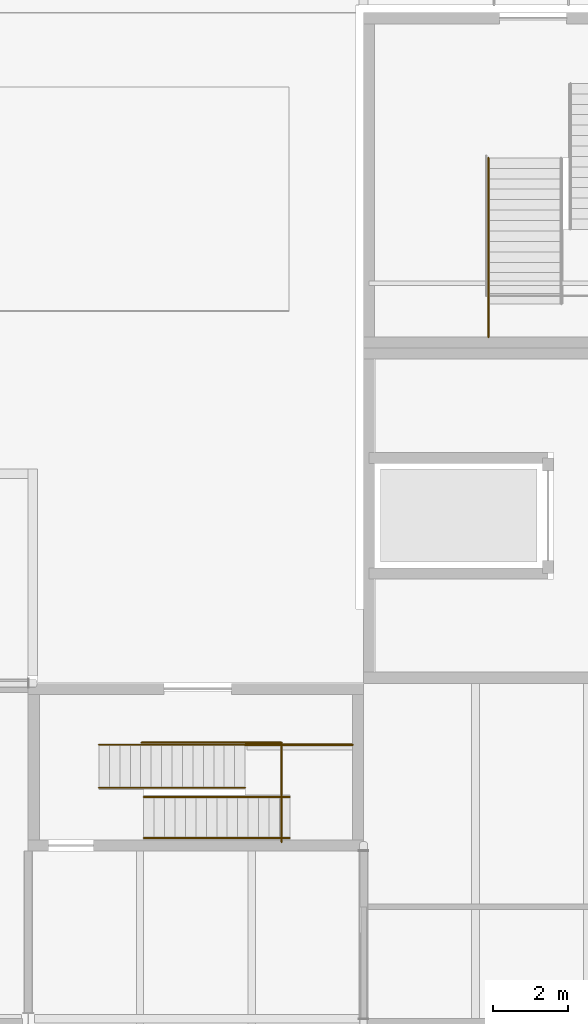
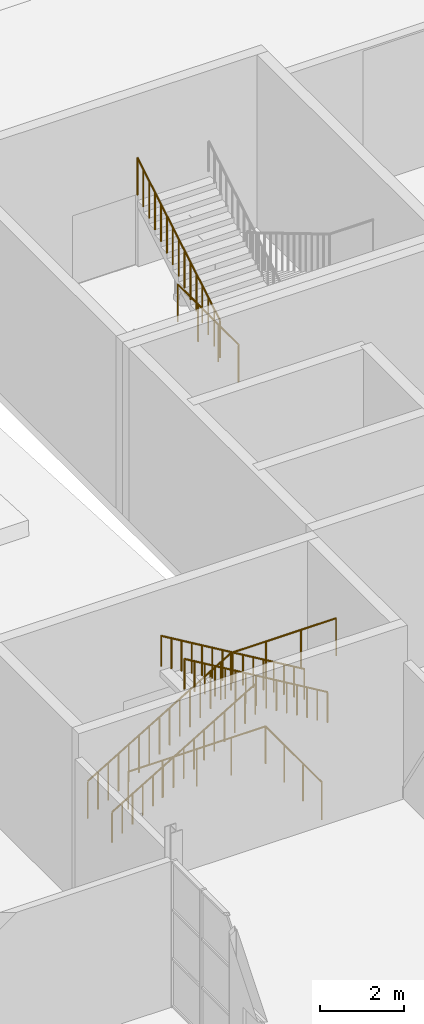
# One storey, part 60 of 63: 8 railings.
"""IFC4 building model written with IfcOpenShell, lengths in metres."""

from ifc_helpers import new_model, si_unit, direction, frame, origin, origin_2d, place, context, subcontext, project, spatial, circle, extrude, material, type_object, element, save


model = new_model("IFC4")

# Units and contexts
model_context = context("Model", 3, precision=1e-05, world=origin(), true_north=direction((0.0, 1.0)))
body_context = subcontext(model_context, "Body", "Model", "MODEL_VIEW")
ifc_project = project(units=[si_unit("LENGTHUNIT", "METRE"), si_unit("AREAUNIT", "SQUARE_METRE"), si_unit("VOLUMEUNIT", "CUBIC_METRE"), si_unit("PLANEANGLEUNIT", "RADIAN"), si_unit("MASSUNIT", "GRAM", prefix="KILO")], contexts=[model_context])

# Site, building, storey
site_placement = place(None, origin())
site = spatial("IfcSite", under=ifc_project, at=site_placement, CompositionType="ELEMENT")
building_placement = place(site_placement, origin())
building = spatial("IfcBuilding", under=site, at=building_placement, Name="Halyard Row Museum", CompositionType="ELEMENT")
storey_placement = place(building_placement, origin())
storey = spatial("IfcBuildingStorey", under=building, at=storey_placement, Name="L00", CompositionType="ELEMENT", Elevation=0.0)

# Railings
ifc_material_1 = material(Name="Steel Grade 300", Category="steel")
railing_type_1 = type_object("IfcRailingType", Name="Guard GR2 steel balustrade 1100", PredefinedType="GUARDRAIL", material=ifc_material_1)
railing_1_placement = place(storey_placement, frame((64.89990234375, 43.35009765625, 0.166748046875)))
element("IfcRailing", 1, at=railing_1_placement, inside=storey, type_object=railing_type_1, Name="Guard GR013", PredefinedType="GUARDRAIL", context=body_context, shape_type="SweptSolid", body=[
    extrude(circle(Radius=0.02392578125, at=origin_2d()), frame((0.0, 0.0, 1.076171875), z_axis=(0.859535888021, 0.0, 0.511075392877), x_axis=(0.0, 1.0, 0.0)), (0.0, 0.0, 1.0), 0.32568359375),
    extrude(circle(Radius=0.02392578125, at=origin_2d()), frame((0.280029296875, 0.0, 1.24267578125), z_axis=(0.859206643714, 0.0, 0.511628716353), x_axis=(0.0, 1.0, 0.0)), (0.0, 0.0, 1.0), 0.325927734375),
    extrude(circle(Radius=0.02392578125, at=origin_2d()), frame((0.56005859375, 0.0, 1.4091796875), z_axis=(0.859206643714, 0.0, 0.511628716353), x_axis=(0.0, 1.0, 0.0)), (0.0, 0.0, 1.0), 0.325927734375),
    extrude(circle(Radius=0.02392578125, at=origin_2d()), frame((0.840087890625, 0.0, 1.576171875), z_axis=(0.859535888021, 0.0, 0.511075392877), x_axis=(0.0, 1.0, 0.0)), (0.0, 0.0, 1.0), 0.32568359375),
    extrude(circle(Radius=0.02392578125, at=origin_2d()), frame((1.1201171875, 0.0, 1.74267578125), z_axis=(0.859206643714, 0.0, 0.511628716353), x_axis=(0.0, 1.0, 0.0)), (0.0, 0.0, 1.0), 0.325927734375),
    extrude(circle(Radius=0.02392578125, at=origin_2d()), frame((1.400146484375, 0.0, 1.9091796875), z_axis=(0.859206643714, 0.0, 0.511628716353), x_axis=(0.0, 1.0, 0.0)), (0.0, 0.0, 1.0), 0.325927734375),
    extrude(circle(Radius=0.02392578125, at=origin_2d()), frame((1.68017578125, 0.0, 2.076171875), z_axis=(0.859535888021, 0.0, 0.511075392877), x_axis=(0.0, 1.0, 0.0)), (0.0, 0.0, 1.0), 0.32568359375),
    extrude(circle(Radius=0.02392578125, at=origin_2d()), frame((1.960205078125, 0.0, 2.24267578125), z_axis=(0.859010369412, 0.0, 0.511958187006), x_axis=(0.0, 1.0, 0.0)), (0.0, 0.0, 1.0), 0.32568359375),
    extrude(circle(Radius=0.02392578125, at=origin_2d()), frame((2.239990234375, 0.0, 2.4091796875), z_axis=(0.859206643714, 0.0, 0.511628716353), x_axis=(0.0, 1.0, 0.0)), (0.0, 0.0, 1.0), 0.325927734375),
    extrude(circle(Radius=0.02392578125, at=origin_2d()), frame((2.52001953125, 0.0, 2.576171875), z_axis=(0.859535888021, 0.0, 0.511075392877), x_axis=(0.0, 1.0, 0.0)), (0.0, 0.0, 1.0), 0.32568359375),
    extrude(circle(Radius=0.02392578125, at=origin_2d()), frame((2.800048828125, 0.0, 2.74267578125), z_axis=(0.859206643714, 0.0, 0.511628716353), x_axis=(0.0, 1.0, 0.0)), (0.0, 0.0, 1.0), 0.325927734375),
    extrude(circle(Radius=0.02392578125, at=origin_2d()), frame((3.080078125, 0.0, 2.9091796875), z_axis=(0.859206643714, 0.0, 0.511628716353), x_axis=(0.0, 1.0, 0.0)), (0.0, 0.0, 1.0), 0.325927734375),
    extrude(circle(Radius=0.02392578125, at=origin_2d()), frame((3.360107421875, 0.0, 3.076171875), z_axis=(0.859535888021, 0.0, 0.511075392877), x_axis=(0.0, 1.0, 0.0)), (0.0, 0.0, 1.0), 0.32568359375),
    extrude(circle(Radius=0.02392578125, at=origin_2d()), frame((3.64013671875, 0.0, 3.24267578125), z_axis=(0.859206643714, 0.0, 0.511628716353), x_axis=(0.0, 1.0, 0.0)), (0.0, 0.0, 1.0), 0.325927734375),
    extrude(circle(Radius=0.02099609375, at=origin_2d()), origin(), (0.0, 0.0, 1.0), 1.052001953125),
    extrude(circle(Radius=0.02099609375, at=origin_2d()), frame((0.280029296875, 0.0, 0.16650390625)), (0.0, 0.0, 1.0), 1.052001953125),
    extrude(circle(Radius=0.02099609375, at=origin_2d()), frame((0.56005859375, 0.0, 0.333251953125)), (0.0, 0.0, 1.0), 1.052001953125),
    extrude(circle(Radius=0.02099609375, at=origin_2d()), frame((0.840087890625, 0.0, 0.5)), (0.0, 0.0, 1.0), 1.052001953125),
    extrude(circle(Radius=0.02099609375, at=origin_2d()), frame((1.1201171875, 0.0, 0.66650390625)), (0.0, 0.0, 1.0), 1.052001953125),
    extrude(circle(Radius=0.02099609375, at=origin_2d()), frame((1.400146484375, 0.0, 0.833251953125)), (0.0, 0.0, 1.0), 1.052001953125),
    extrude(circle(Radius=0.02099609375, at=origin_2d()), frame((1.68017578125, 0.0, 1.0)), (0.0, 0.0, 1.0), 1.052001953125),
    extrude(circle(Radius=0.02099609375, at=origin_2d()), frame((1.960205078125, 0.0, 1.16650390625)), (0.0, 0.0, 1.0), 1.052001953125),
    extrude(circle(Radius=0.02099609375, at=origin_2d()), frame((2.239990234375, 0.0, 1.333251953125)), (0.0, 0.0, 1.0), 1.052001953125),
    extrude(circle(Radius=0.02099609375, at=origin_2d()), frame((2.52001953125, 0.0, 1.5)), (0.0, 0.0, 1.0), 1.052001953125),
    extrude(circle(Radius=0.02099609375, at=origin_2d()), frame((2.800048828125, 0.0, 1.66650390625)), (0.0, 0.0, 1.0), 1.052001953125),
    extrude(circle(Radius=0.02099609375, at=origin_2d()), frame((3.080078125, 0.0, 1.833251953125)), (0.0, 0.0, 1.0), 1.052001953125),
    extrude(circle(Radius=0.02099609375, at=origin_2d()), frame((3.360107421875, 0.0, 2.0)), (0.0, 0.0, 1.0), 1.052001953125),
    extrude(circle(Radius=0.02099609375, at=origin_2d()), frame((3.64013671875, 0.0, 2.16650390625)), (0.0, 0.0, 1.0), 1.052001953125),
    extrude(circle(Radius=0.02099609375, at=origin_2d()), frame((3.920166015625, 0.0, 2.333251953125)), (0.0, 0.0, 1.0), 1.052001953125),
])
railing_2_placement = place(storey_placement, frame((68.820068359375, 43.35009765625, 2.5)))
element("IfcRailing", 2, at=railing_2_placement, inside=storey, type_object=railing_type_1, Name="Guard GR014", PredefinedType="GUARDRAIL", context=body_context, shape_type="SweptSolid", body=[
    extrude(circle(Radius=0.02392578125, at=origin_2d()), frame((0.0, 0.0, 1.076171875), z_axis=(1.0, 0.0, 0.0), x_axis=(0.0, 1.0, 0.0)), (0.0, 0.0, 1.0), 2.8798828125),
    extrude(circle(Radius=0.02099609375, at=origin_2d()), origin(), (0.0, 0.0, 1.0), 1.052001953125),
    extrude(circle(Radius=0.02099609375, at=origin_2d()), frame((0.9599609375, 0.0, 0.0)), (0.0, 0.0, 1.0), 1.052001953125),
    extrude(circle(Radius=0.02099609375, at=origin_2d()), frame((1.919921875, 0.0, 0.0)), (0.0, 0.0, 1.0), 1.052001953125),
    extrude(circle(Radius=0.02099609375, at=origin_2d()), frame((2.8798828125, 0.0, 0.0)), (0.0, 0.0, 1.0), 1.052001953125),
])
railing_3_placement = place(storey_placement, frame((75.35009765625, 55.179931640625, 2.666748046875)))
element("IfcRailing", 3, at=railing_3_placement, inside=storey, type_object=railing_type_1, Name="Guard GR101", PredefinedType="GUARDRAIL", context=body_context, shape_type="SweptSolid", body=[
    extrude(circle(Radius=0.02392578125, at=origin_2d()), frame((0.0, 0.0, 1.076171875), z_axis=(0.0, 0.859535888021, 0.511075392877), x_axis=(-1.0, 0.0, 0.0)), (0.0, 0.0, 1.0), 0.32568359375),
    extrude(circle(Radius=0.02392578125, at=origin_2d()), frame((0.0, 0.280029296875, 1.24267578125), z_axis=(0.0, 0.859206643714, 0.511628716353), x_axis=(-1.0, 0.0, 0.0)), (0.0, 0.0, 1.0), 0.325927734375),
    extrude(circle(Radius=0.02392578125, at=origin_2d()), frame((0.0, 0.56005859375, 1.4091796875), z_axis=(0.0, 0.859206643714, 0.511628716353), x_axis=(-1.0, 0.0, 0.0)), (0.0, 0.0, 1.0), 0.325927734375),
    extrude(circle(Radius=0.02392578125, at=origin_2d()), frame((0.0, 0.840087890625, 1.576171875), z_axis=(0.0, 0.859535888021, 0.511075392877), x_axis=(-1.0, 0.0, 0.0)), (0.0, 0.0, 1.0), 0.32568359375),
    extrude(circle(Radius=0.02392578125, at=origin_2d()), frame((0.0, 1.1201171875, 1.74267578125), z_axis=(0.0, 0.859206643714, 0.511628716353), x_axis=(-1.0, 0.0, 0.0)), (0.0, 0.0, 1.0), 0.325927734375),
    extrude(circle(Radius=0.02392578125, at=origin_2d()), frame((0.0, 1.400146484375, 1.9091796875), z_axis=(0.0, 0.859206643714, 0.511628716353), x_axis=(-1.0, 0.0, 0.0)), (0.0, 0.0, 1.0), 0.325927734375),
    extrude(circle(Radius=0.02392578125, at=origin_2d()), frame((0.0, 1.68017578125, 2.076171875), z_axis=(0.0, 0.859339962834, 0.511404759732), x_axis=(-1.0, 0.0, 0.0)), (0.0, 0.0, 1.0), 0.32568359375),
    extrude(circle(Radius=0.02392578125, at=origin_2d()), frame((0.0, 1.9599609375, 2.24267578125), z_axis=(0.0, 0.859206643714, 0.511628716353), x_axis=(-1.0, 0.0, 0.0)), (0.0, 0.0, 1.0), 0.325927734375),
    extrude(circle(Radius=0.02392578125, at=origin_2d()), frame((0.0, 2.239990234375, 2.4091796875), z_axis=(0.0, 0.859206643714, 0.511628716353), x_axis=(-1.0, 0.0, 0.0)), (0.0, 0.0, 1.0), 0.325927734375),
    extrude(circle(Radius=0.02392578125, at=origin_2d()), frame((0.0, 2.52001953125, 2.576171875), z_axis=(0.0, 0.859535888021, 0.511075392877), x_axis=(-1.0, 0.0, 0.0)), (0.0, 0.0, 1.0), 0.32568359375),
    extrude(circle(Radius=0.02392578125, at=origin_2d()), frame((0.0, 2.800048828125, 2.74267578125), z_axis=(0.0, 0.859206643714, 0.511628716353), x_axis=(-1.0, 0.0, 0.0)), (0.0, 0.0, 1.0), 0.325927734375),
    extrude(circle(Radius=0.02392578125, at=origin_2d()), frame((0.0, 3.080078125, 2.9091796875), z_axis=(0.0, 0.859206643714, 0.511628716353), x_axis=(-1.0, 0.0, 0.0)), (0.0, 0.0, 1.0), 0.325927734375),
    extrude(circle(Radius=0.02392578125, at=origin_2d()), frame((0.0, 3.360107421875, 3.076171875), z_axis=(0.0, 0.859535888021, 0.511075392877), x_axis=(-1.0, 0.0, 0.0)), (0.0, 0.0, 1.0), 0.32568359375),
    extrude(circle(Radius=0.02392578125, at=origin_2d()), frame((0.0, 3.64013671875, 3.24267578125), z_axis=(0.0, 0.859206643714, 0.511628716353), x_axis=(-1.0, 0.0, 0.0)), (0.0, 0.0, 1.0), 0.325927734375),
    extrude(circle(Radius=0.02099609375, at=origin_2d()), origin(), (0.0, 0.0, 1.0), 1.052001953125),
    extrude(circle(Radius=0.02099609375, at=origin_2d()), frame((0.0, 0.280029296875, 0.16650390625)), (0.0, 0.0, 1.0), 1.052001953125),
    extrude(circle(Radius=0.02099609375, at=origin_2d()), frame((0.0, 0.56005859375, 0.333251953125)), (0.0, 0.0, 1.0), 1.052001953125),
    extrude(circle(Radius=0.02099609375, at=origin_2d()), frame((0.0, 0.840087890625, 0.5)), (0.0, 0.0, 1.0), 1.052001953125),
    extrude(circle(Radius=0.02099609375, at=origin_2d()), frame((0.0, 1.1201171875, 0.66650390625)), (0.0, 0.0, 1.0), 1.052001953125),
    extrude(circle(Radius=0.02099609375, at=origin_2d()), frame((0.0, 1.400146484375, 0.833251953125)), (0.0, 0.0, 1.0), 1.052001953125),
    extrude(circle(Radius=0.02099609375, at=origin_2d()), frame((0.0, 1.68017578125, 1.0)), (0.0, 0.0, 1.0), 1.052001953125),
    extrude(circle(Radius=0.02099609375, at=origin_2d()), frame((0.0, 1.9599609375, 1.16650390625)), (0.0, 0.0, 1.0), 1.052001953125),
    extrude(circle(Radius=0.02099609375, at=origin_2d()), frame((0.0, 2.239990234375, 1.333251953125)), (0.0, 0.0, 1.0), 1.052001953125),
    extrude(circle(Radius=0.02099609375, at=origin_2d()), frame((0.0, 2.52001953125, 1.5)), (0.0, 0.0, 1.0), 1.052001953125),
    extrude(circle(Radius=0.02099609375, at=origin_2d()), frame((0.0, 2.800048828125, 1.66650390625)), (0.0, 0.0, 1.0), 1.052001953125),
    extrude(circle(Radius=0.02099609375, at=origin_2d()), frame((0.0, 3.080078125, 1.833251953125)), (0.0, 0.0, 1.0), 1.052001953125),
    extrude(circle(Radius=0.02099609375, at=origin_2d()), frame((0.0, 3.360107421875, 2.0)), (0.0, 0.0, 1.0), 1.052001953125),
    extrude(circle(Radius=0.02099609375, at=origin_2d()), frame((0.0, 3.64013671875, 2.16650390625)), (0.0, 0.0, 1.0), 1.052001953125),
    extrude(circle(Radius=0.02099609375, at=origin_2d()), frame((0.0, 3.920166015625, 2.333251953125)), (0.0, 0.0, 1.0), 1.052001953125),
])
railing_4_placement = place(storey_placement, frame((75.35009765625, 57.179931640625, 2.5)))
element("IfcRailing", 4, at=railing_4_placement, inside=storey, type_object=railing_type_1, Name="Guard GR103", PredefinedType="GUARDRAIL", context=body_context, shape_type="SweptSolid", body=[
    extrude(circle(Radius=0.02392578125, at=origin_2d()), frame((0.0, 0.0, 1.076171875), z_axis=(0.0, -1.0, 0.0), x_axis=(1.0, 0.0, 0.0)), (0.0, 0.0, 1.0), 2.8798828125),
    extrude(circle(Radius=0.02099609375, at=origin_2d()), origin(), (0.0, 0.0, 1.0), 1.052001953125),
    extrude(circle(Radius=0.02099609375, at=origin_2d()), frame((0.0, -0.9599609375, 0.0)), (0.0, 0.0, 1.0), 1.052001953125),
    extrude(circle(Radius=0.02099609375, at=origin_2d()), frame((0.0, -1.919921875, 0.0)), (0.0, 0.0, 1.0), 1.052001953125),
    extrude(circle(Radius=0.02099609375, at=origin_2d()), frame((0.0, -2.8798828125, 0.0)), (0.0, 0.0, 1.0), 1.052001953125),
])
railing_5_placement = place(storey_placement, frame((66.0400390625, 43.409912109375, 0.0)))
element("IfcRailing", 5, at=railing_5_placement, inside=storey, type_object=railing_type_1, Name="Guard GR142", PredefinedType="GUARDRAIL", context=body_context, shape_type="SweptSolid", body=[
    extrude(circle(Radius=0.02392578125, at=origin_2d()), frame((0.0, 0.0, 1.076171875), z_axis=(1.0, 0.0, 0.0), x_axis=(0.0, 1.0, 0.0)), (0.0, 0.0, 1.0), 3.760009765625),
    extrude(circle(Radius=0.02392578125, at=origin_2d()), frame((3.760009765625, 0.0, 1.076171875), z_axis=(0.0, -1.0, 0.0), x_axis=(1.0, 0.0, 0.0)), (0.0, 0.0, 1.0), 2.669921875),
    extrude(circle(Radius=0.02099609375, at=origin_2d()), origin(), (0.0, 0.0, 1.0), 1.052001953125),
    extrude(circle(Radius=0.02099609375, at=origin_2d()), frame((0.93994140625, 0.0, 0.0)), (0.0, 0.0, 1.0), 1.052001953125),
    extrude(circle(Radius=0.02099609375, at=origin_2d()), frame((1.8798828125, 0.0, 0.0)), (0.0, 0.0, 1.0), 1.052001953125),
    extrude(circle(Radius=0.02099609375, at=origin_2d()), frame((2.820068359375, 0.0, 0.0)), (0.0, 0.0, 1.0), 1.052001953125),
    extrude(circle(Radius=0.02099609375, at=origin_2d()), frame((3.760009765625, 0.0, 0.0)), (0.0, 0.0, 1.0), 1.052001953125),
    extrude(circle(Radius=0.02099609375, at=origin_2d()), frame((3.760009765625, -0.889892578125, 0.0)), (0.0, 0.0, 1.0), 1.052001953125),
    extrude(circle(Radius=0.02099609375, at=origin_2d()), frame((3.760009765625, -1.780029296875, 0.0)), (0.0, 0.0, 1.0), 1.052001953125),
    extrude(circle(Radius=0.02099609375, at=origin_2d()), frame((3.760009765625, -2.669921875, 0.0)), (0.0, 0.0, 1.0), 1.052001953125),
])
ifc_material_2 = material(Name="Steel Grade 300", Category="steel")
railing_type_2 = type_object("IfcRailingType", Name="Handrail HR2 steel 900", PredefinedType="HANDRAIL", material=ifc_material_2)
railing_6_placement = place(storey_placement, frame((64.89990234375, 42.199951171875, 0.166748046875)))
element("IfcRailing", 6, at=railing_6_placement, inside=storey, type_object=railing_type_2, Name="Handrail HR019", PredefinedType="HANDRAIL", context=body_context, shape_type="SweptSolid", body=[
    extrude(circle(Radius=0.02392578125, at=origin_2d()), frame((0.0, 0.0, 0.8759765625), z_axis=(0.859535888021, 0.0, 0.511075392877), x_axis=(0.0, 1.0, 0.0)), (0.0, 0.0, 1.0), 0.32568359375),
    extrude(circle(Radius=0.02392578125, at=origin_2d()), frame((0.280029296875, 0.0, 1.04248046875), z_axis=(0.859206643714, 0.0, 0.511628716353), x_axis=(0.0, 1.0, 0.0)), (0.0, 0.0, 1.0), 0.325927734375),
    extrude(circle(Radius=0.02392578125, at=origin_2d()), frame((0.56005859375, 0.0, 1.208984375), z_axis=(0.859206643714, 0.0, 0.511628716353), x_axis=(0.0, 1.0, 0.0)), (0.0, 0.0, 1.0), 0.325927734375),
    extrude(circle(Radius=0.02392578125, at=origin_2d()), frame((0.840087890625, 0.0, 1.3759765625), z_axis=(0.859535888021, 0.0, 0.511075392877), x_axis=(0.0, 1.0, 0.0)), (0.0, 0.0, 1.0), 0.32568359375),
    extrude(circle(Radius=0.02392578125, at=origin_2d()), frame((1.1201171875, 0.0, 1.54248046875), z_axis=(0.859206643714, 0.0, 0.511628716353), x_axis=(0.0, 1.0, 0.0)), (0.0, 0.0, 1.0), 0.325927734375),
    extrude(circle(Radius=0.02392578125, at=origin_2d()), frame((1.400146484375, 0.0, 1.708984375), z_axis=(0.859206643714, 0.0, 0.511628716353), x_axis=(0.0, 1.0, 0.0)), (0.0, 0.0, 1.0), 0.325927734375),
    extrude(circle(Radius=0.02392578125, at=origin_2d()), frame((1.68017578125, 0.0, 1.8759765625), z_axis=(0.859535888021, 0.0, 0.511075392877), x_axis=(0.0, 1.0, 0.0)), (0.0, 0.0, 1.0), 0.32568359375),
    extrude(circle(Radius=0.02392578125, at=origin_2d()), frame((1.960205078125, 0.0, 2.04248046875), z_axis=(0.859010369412, 0.0, 0.511958187006), x_axis=(0.0, 1.0, 0.0)), (0.0, 0.0, 1.0), 0.32568359375),
    extrude(circle(Radius=0.02392578125, at=origin_2d()), frame((2.239990234375, 0.0, 2.208984375), z_axis=(0.859206643714, 0.0, 0.511628716353), x_axis=(0.0, 1.0, 0.0)), (0.0, 0.0, 1.0), 0.325927734375),
    extrude(circle(Radius=0.02392578125, at=origin_2d()), frame((2.52001953125, 0.0, 2.3759765625), z_axis=(0.859535888021, 0.0, 0.511075392877), x_axis=(0.0, 1.0, 0.0)), (0.0, 0.0, 1.0), 0.32568359375),
    extrude(circle(Radius=0.02392578125, at=origin_2d()), frame((2.800048828125, 0.0, 2.54248046875), z_axis=(0.859206643714, 0.0, 0.511628716353), x_axis=(0.0, 1.0, 0.0)), (0.0, 0.0, 1.0), 0.325927734375),
    extrude(circle(Radius=0.02392578125, at=origin_2d()), frame((3.080078125, 0.0, 2.708984375), z_axis=(0.859206643714, 0.0, 0.511628716353), x_axis=(0.0, 1.0, 0.0)), (0.0, 0.0, 1.0), 0.325927734375),
    extrude(circle(Radius=0.02392578125, at=origin_2d()), frame((3.360107421875, 0.0, 2.8759765625), z_axis=(0.859535888021, 0.0, 0.511075392877), x_axis=(0.0, 1.0, 0.0)), (0.0, 0.0, 1.0), 0.32568359375),
    extrude(circle(Radius=0.02392578125, at=origin_2d()), frame((3.64013671875, 0.0, 3.04248046875), z_axis=(0.859206643714, 0.0, 0.511628716353), x_axis=(0.0, 1.0, 0.0)), (0.0, 0.0, 1.0), 0.325927734375),
    extrude(circle(Radius=0.02099609375, at=origin_2d()), origin(), (0.0, 0.0, 1.0), 0.851806640625),
    extrude(circle(Radius=0.02099609375, at=origin_2d()), frame((0.280029296875, 0.0, 0.16650390625)), (0.0, 0.0, 1.0), 0.851806640625),
    extrude(circle(Radius=0.02099609375, at=origin_2d()), frame((0.56005859375, 0.0, 0.333251953125)), (0.0, 0.0, 1.0), 0.851806640625),
    extrude(circle(Radius=0.02099609375, at=origin_2d()), frame((0.840087890625, 0.0, 0.5)), (0.0, 0.0, 1.0), 0.851806640625),
    extrude(circle(Radius=0.02099609375, at=origin_2d()), frame((1.1201171875, 0.0, 0.66650390625)), (0.0, 0.0, 1.0), 0.851806640625),
    extrude(circle(Radius=0.02099609375, at=origin_2d()), frame((1.400146484375, 0.0, 0.833251953125)), (0.0, 0.0, 1.0), 0.851806640625),
    extrude(circle(Radius=0.02099609375, at=origin_2d()), frame((1.68017578125, 0.0, 1.0)), (0.0, 0.0, 1.0), 0.851806640625),
    extrude(circle(Radius=0.02099609375, at=origin_2d()), frame((1.960205078125, 0.0, 1.16650390625)), (0.0, 0.0, 1.0), 0.851806640625),
    extrude(circle(Radius=0.02099609375, at=origin_2d()), frame((2.239990234375, 0.0, 1.333251953125)), (0.0, 0.0, 1.0), 0.851806640625),
    extrude(circle(Radius=0.02099609375, at=origin_2d()), frame((2.52001953125, 0.0, 1.5)), (0.0, 0.0, 1.0), 0.851806640625),
    extrude(circle(Radius=0.02099609375, at=origin_2d()), frame((2.800048828125, 0.0, 1.66650390625)), (0.0, 0.0, 1.0), 0.851806640625),
    extrude(circle(Radius=0.02099609375, at=origin_2d()), frame((3.080078125, 0.0, 1.833251953125)), (0.0, 0.0, 1.0), 0.851806640625),
    extrude(circle(Radius=0.02099609375, at=origin_2d()), frame((3.360107421875, 0.0, 2.0)), (0.0, 0.0, 1.0), 0.851806640625),
    extrude(circle(Radius=0.02099609375, at=origin_2d()), frame((3.64013671875, 0.0, 2.16650390625)), (0.0, 0.0, 1.0), 0.851806640625),
    extrude(circle(Radius=0.02099609375, at=origin_2d()), frame((3.920166015625, 0.0, 2.333251953125)), (0.0, 0.0, 1.0), 0.851806640625),
])
railing_7_placement = place(storey_placement, frame((70.02001953125, 40.85009765625, 2.666748046875)))
element("IfcRailing", 7, at=railing_7_placement, inside=storey, type_object=railing_type_2, Name="Handrail HR020", PredefinedType="HANDRAIL", context=body_context, shape_type="SweptSolid", body=[
    extrude(circle(Radius=0.02392578125, at=origin_2d()), frame((0.0, 0.0, 0.8759765625), z_axis=(-0.859535888021, 0.0, 0.511075392877), x_axis=(0.0, -1.0, 0.0)), (0.0, 0.0, 1.0), 0.32568359375),
    extrude(circle(Radius=0.02392578125, at=origin_2d()), frame((-0.280029296875, 0.0, 1.04248046875), z_axis=(-0.859206643714, 0.0, 0.511628716353), x_axis=(0.0, -1.0, 0.0)), (0.0, 0.0, 1.0), 0.325927734375),
    extrude(circle(Radius=0.02392578125, at=origin_2d()), frame((-0.56005859375, 0.0, 1.208984375), z_axis=(-0.859206643714, 0.0, 0.511628716353), x_axis=(0.0, -1.0, 0.0)), (0.0, 0.0, 1.0), 0.325927734375),
    extrude(circle(Radius=0.02392578125, at=origin_2d()), frame((-0.840087890625, 0.0, 1.3759765625), z_axis=(-0.859535888021, 0.0, 0.511075392877), x_axis=(0.0, -1.0, 0.0)), (0.0, 0.0, 1.0), 0.32568359375),
    extrude(circle(Radius=0.02392578125, at=origin_2d()), frame((-1.1201171875, 0.0, 1.54248046875), z_axis=(-0.859010369412, 0.0, 0.511958187006), x_axis=(0.0, -1.0, 0.0)), (0.0, 0.0, 1.0), 0.32568359375),
    extrude(circle(Radius=0.02392578125, at=origin_2d()), frame((-1.39990234375, 0.0, 1.708984375), z_axis=(-0.859206643714, 0.0, 0.511628716353), x_axis=(0.0, -1.0, 0.0)), (0.0, 0.0, 1.0), 0.325927734375),
    extrude(circle(Radius=0.02392578125, at=origin_2d()), frame((-1.679931640625, 0.0, 1.8759765625), z_axis=(-0.859535888021, 0.0, 0.511075392877), x_axis=(0.0, -1.0, 0.0)), (0.0, 0.0, 1.0), 0.32568359375),
    extrude(circle(Radius=0.02392578125, at=origin_2d()), frame((-1.9599609375, 0.0, 2.04248046875), z_axis=(-0.859206643714, 0.0, 0.511628716353), x_axis=(0.0, -1.0, 0.0)), (0.0, 0.0, 1.0), 0.325927734375),
    extrude(circle(Radius=0.02392578125, at=origin_2d()), frame((-2.239990234375, 0.0, 2.208984375), z_axis=(-0.859206643714, 0.0, 0.511628716353), x_axis=(0.0, -1.0, 0.0)), (0.0, 0.0, 1.0), 0.325927734375),
    extrude(circle(Radius=0.02392578125, at=origin_2d()), frame((-2.52001953125, 0.0, 2.3759765625), z_axis=(-0.859535888021, 0.0, 0.511075392877), x_axis=(0.0, -1.0, 0.0)), (0.0, 0.0, 1.0), 0.32568359375),
    extrude(circle(Radius=0.02392578125, at=origin_2d()), frame((-2.800048828125, 0.0, 2.54248046875), z_axis=(-0.859206643714, 0.0, 0.511628716353), x_axis=(0.0, -1.0, 0.0)), (0.0, 0.0, 1.0), 0.325927734375),
    extrude(circle(Radius=0.02392578125, at=origin_2d()), frame((-3.080078125, 0.0, 2.708984375), z_axis=(-0.859206643714, 0.0, 0.511628716353), x_axis=(0.0, -1.0, 0.0)), (0.0, 0.0, 1.0), 0.325927734375),
    extrude(circle(Radius=0.02392578125, at=origin_2d()), frame((-3.360107421875, 0.0, 2.8759765625), z_axis=(-0.859535888021, 0.0, 0.511075392877), x_axis=(0.0, -1.0, 0.0)), (0.0, 0.0, 1.0), 0.32568359375),
    extrude(circle(Radius=0.02392578125, at=origin_2d()), frame((-3.64013671875, 0.0, 3.04248046875), z_axis=(-0.859010369412, 0.0, 0.511958187006), x_axis=(0.0, -1.0, 0.0)), (0.0, 0.0, 1.0), 0.32568359375),
    extrude(circle(Radius=0.02099609375, at=origin_2d()), origin(), (0.0, 0.0, 1.0), 0.851806640625),
    extrude(circle(Radius=0.02099609375, at=origin_2d()), frame((-0.280029296875, 0.0, 0.16650390625)), (0.0, 0.0, 1.0), 0.851806640625),
    extrude(circle(Radius=0.02099609375, at=origin_2d()), frame((-0.56005859375, 0.0, 0.333251953125)), (0.0, 0.0, 1.0), 0.851806640625),
    extrude(circle(Radius=0.02099609375, at=origin_2d()), frame((-0.840087890625, 0.0, 0.5)), (0.0, 0.0, 1.0), 0.851806640625),
    extrude(circle(Radius=0.02099609375, at=origin_2d()), frame((-1.1201171875, 0.0, 0.66650390625)), (0.0, 0.0, 1.0), 0.851806640625),
    extrude(circle(Radius=0.02099609375, at=origin_2d()), frame((-1.39990234375, 0.0, 0.833251953125)), (0.0, 0.0, 1.0), 0.851806640625),
    extrude(circle(Radius=0.02099609375, at=origin_2d()), frame((-1.679931640625, 0.0, 1.0)), (0.0, 0.0, 1.0), 0.851806640625),
    extrude(circle(Radius=0.02099609375, at=origin_2d()), frame((-1.9599609375, 0.0, 1.16650390625)), (0.0, 0.0, 1.0), 0.851806640625),
    extrude(circle(Radius=0.02099609375, at=origin_2d()), frame((-2.239990234375, 0.0, 1.333251953125)), (0.0, 0.0, 1.0), 0.851806640625),
    extrude(circle(Radius=0.02099609375, at=origin_2d()), frame((-2.52001953125, 0.0, 1.5)), (0.0, 0.0, 1.0), 0.851806640625),
    extrude(circle(Radius=0.02099609375, at=origin_2d()), frame((-2.800048828125, 0.0, 1.66650390625)), (0.0, 0.0, 1.0), 0.851806640625),
    extrude(circle(Radius=0.02099609375, at=origin_2d()), frame((-3.080078125, 0.0, 1.833251953125)), (0.0, 0.0, 1.0), 0.851806640625),
    extrude(circle(Radius=0.02099609375, at=origin_2d()), frame((-3.360107421875, 0.0, 2.0)), (0.0, 0.0, 1.0), 0.851806640625),
    extrude(circle(Radius=0.02099609375, at=origin_2d()), frame((-3.64013671875, 0.0, 2.16650390625)), (0.0, 0.0, 1.0), 0.851806640625),
    extrude(circle(Radius=0.02099609375, at=origin_2d()), frame((-3.919921875, 0.0, 2.333251953125)), (0.0, 0.0, 1.0), 0.851806640625),
])
railing_8_placement = place(storey_placement, frame((70.02001953125, 41.949951171875, 2.666748046875)))
element("IfcRailing", 8, at=railing_8_placement, inside=storey, type_object=railing_type_2, Name="Handrail HR021", PredefinedType="HANDRAIL", context=body_context, shape_type="SweptSolid", body=[
    extrude(circle(Radius=0.02392578125, at=origin_2d()), frame((0.0, 0.0, 0.8759765625), z_axis=(-0.859535888021, 0.0, 0.511075392877), x_axis=(0.0, -1.0, 0.0)), (0.0, 0.0, 1.0), 0.32568359375),
    extrude(circle(Radius=0.02392578125, at=origin_2d()), frame((-0.280029296875, 0.0, 1.04248046875), z_axis=(-0.859206643714, 0.0, 0.511628716353), x_axis=(0.0, -1.0, 0.0)), (0.0, 0.0, 1.0), 0.325927734375),
    extrude(circle(Radius=0.02392578125, at=origin_2d()), frame((-0.56005859375, 0.0, 1.208984375), z_axis=(-0.859206643714, 0.0, 0.511628716353), x_axis=(0.0, -1.0, 0.0)), (0.0, 0.0, 1.0), 0.325927734375),
    extrude(circle(Radius=0.02392578125, at=origin_2d()), frame((-0.840087890625, 0.0, 1.3759765625), z_axis=(-0.859535888021, 0.0, 0.511075392877), x_axis=(0.0, -1.0, 0.0)), (0.0, 0.0, 1.0), 0.32568359375),
    extrude(circle(Radius=0.02392578125, at=origin_2d()), frame((-1.1201171875, 0.0, 1.54248046875), z_axis=(-0.859010369412, 0.0, 0.511958187006), x_axis=(0.0, -1.0, 0.0)), (0.0, 0.0, 1.0), 0.32568359375),
    extrude(circle(Radius=0.02392578125, at=origin_2d()), frame((-1.39990234375, 0.0, 1.708984375), z_axis=(-0.859206643714, 0.0, 0.511628716353), x_axis=(0.0, -1.0, 0.0)), (0.0, 0.0, 1.0), 0.325927734375),
    extrude(circle(Radius=0.02392578125, at=origin_2d()), frame((-1.679931640625, 0.0, 1.8759765625), z_axis=(-0.859535888021, 0.0, 0.511075392877), x_axis=(0.0, -1.0, 0.0)), (0.0, 0.0, 1.0), 0.32568359375),
    extrude(circle(Radius=0.02392578125, at=origin_2d()), frame((-1.9599609375, 0.0, 2.04248046875), z_axis=(-0.859206643714, 0.0, 0.511628716353), x_axis=(0.0, -1.0, 0.0)), (0.0, 0.0, 1.0), 0.325927734375),
    extrude(circle(Radius=0.02392578125, at=origin_2d()), frame((-2.239990234375, 0.0, 2.208984375), z_axis=(-0.859206643714, 0.0, 0.511628716353), x_axis=(0.0, -1.0, 0.0)), (0.0, 0.0, 1.0), 0.325927734375),
    extrude(circle(Radius=0.02392578125, at=origin_2d()), frame((-2.52001953125, 0.0, 2.3759765625), z_axis=(-0.859535888021, 0.0, 0.511075392877), x_axis=(0.0, -1.0, 0.0)), (0.0, 0.0, 1.0), 0.32568359375),
    extrude(circle(Radius=0.02392578125, at=origin_2d()), frame((-2.800048828125, 0.0, 2.54248046875), z_axis=(-0.859206643714, 0.0, 0.511628716353), x_axis=(0.0, -1.0, 0.0)), (0.0, 0.0, 1.0), 0.325927734375),
    extrude(circle(Radius=0.02392578125, at=origin_2d()), frame((-3.080078125, 0.0, 2.708984375), z_axis=(-0.859206643714, 0.0, 0.511628716353), x_axis=(0.0, -1.0, 0.0)), (0.0, 0.0, 1.0), 0.325927734375),
    extrude(circle(Radius=0.02392578125, at=origin_2d()), frame((-3.360107421875, 0.0, 2.8759765625), z_axis=(-0.859535888021, 0.0, 0.511075392877), x_axis=(0.0, -1.0, 0.0)), (0.0, 0.0, 1.0), 0.32568359375),
    extrude(circle(Radius=0.02392578125, at=origin_2d()), frame((-3.64013671875, 0.0, 3.04248046875), z_axis=(-0.859010369412, 0.0, 0.511958187006), x_axis=(0.0, -1.0, 0.0)), (0.0, 0.0, 1.0), 0.32568359375),
    extrude(circle(Radius=0.02099609375, at=origin_2d()), origin(), (0.0, 0.0, 1.0), 0.851806640625),
    extrude(circle(Radius=0.02099609375, at=origin_2d()), frame((-0.280029296875, 0.0, 0.16650390625)), (0.0, 0.0, 1.0), 0.851806640625),
    extrude(circle(Radius=0.02099609375, at=origin_2d()), frame((-0.56005859375, 0.0, 0.333251953125)), (0.0, 0.0, 1.0), 0.851806640625),
    extrude(circle(Radius=0.02099609375, at=origin_2d()), frame((-0.840087890625, 0.0, 0.5)), (0.0, 0.0, 1.0), 0.851806640625),
    extrude(circle(Radius=0.02099609375, at=origin_2d()), frame((-1.1201171875, 0.0, 0.66650390625)), (0.0, 0.0, 1.0), 0.851806640625),
    extrude(circle(Radius=0.02099609375, at=origin_2d()), frame((-1.39990234375, 0.0, 0.833251953125)), (0.0, 0.0, 1.0), 0.851806640625),
    extrude(circle(Radius=0.02099609375, at=origin_2d()), frame((-1.679931640625, 0.0, 1.0)), (0.0, 0.0, 1.0), 0.851806640625),
    extrude(circle(Radius=0.02099609375, at=origin_2d()), frame((-1.9599609375, 0.0, 1.16650390625)), (0.0, 0.0, 1.0), 0.851806640625),
    extrude(circle(Radius=0.02099609375, at=origin_2d()), frame((-2.239990234375, 0.0, 1.333251953125)), (0.0, 0.0, 1.0), 0.851806640625),
    extrude(circle(Radius=0.02099609375, at=origin_2d()), frame((-2.52001953125, 0.0, 1.5)), (0.0, 0.0, 1.0), 0.851806640625),
    extrude(circle(Radius=0.02099609375, at=origin_2d()), frame((-2.800048828125, 0.0, 1.66650390625)), (0.0, 0.0, 1.0), 0.851806640625),
    extrude(circle(Radius=0.02099609375, at=origin_2d()), frame((-3.080078125, 0.0, 1.833251953125)), (0.0, 0.0, 1.0), 0.851806640625),
    extrude(circle(Radius=0.02099609375, at=origin_2d()), frame((-3.360107421875, 0.0, 2.0)), (0.0, 0.0, 1.0), 0.851806640625),
    extrude(circle(Radius=0.02099609375, at=origin_2d()), frame((-3.64013671875, 0.0, 2.16650390625)), (0.0, 0.0, 1.0), 0.851806640625),
    extrude(circle(Radius=0.02099609375, at=origin_2d()), frame((-3.919921875, 0.0, 2.333251953125)), (0.0, 0.0, 1.0), 0.851806640625),
])

save(model, "model.ifc")
